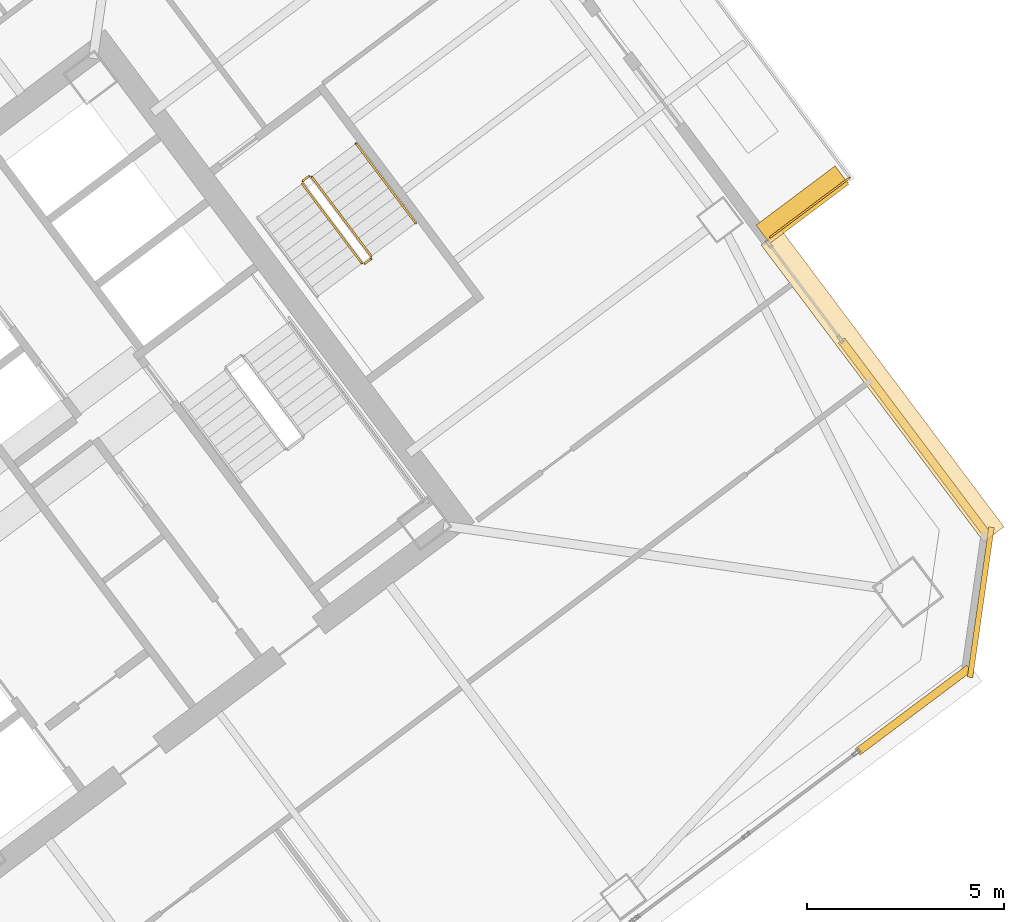
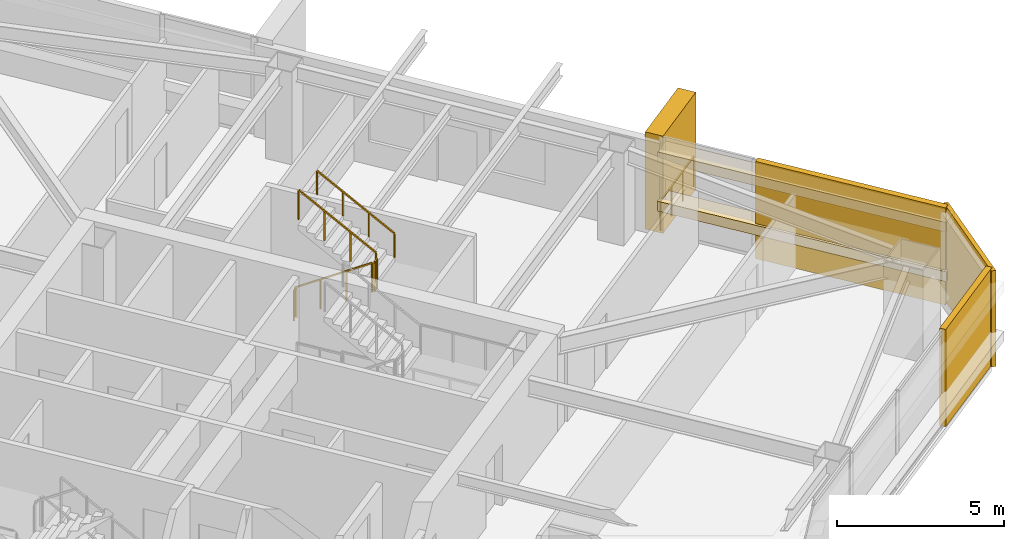
# One storey, part 43 of 44: 6 coverings, 6 railings.
"""IFC4 building model written with IfcOpenShell, lengths in metres."""

from ifc_helpers import new_model, si_unit, direction, frame, origin, origin_2d, place, context, subcontext, project, spatial, rectangle, extrude, material, layer, layer_set, type_object, element, save


model = new_model("IFC4")

# Units and contexts
model_context = context("Model", 3, precision=1e-05, world=origin(), true_north=direction((0.0, 1.0)))
body_context = subcontext(model_context, "Body", "Model", "MODEL_VIEW")
ifc_project = project(units=[si_unit("LENGTHUNIT", "METRE"), si_unit("AREAUNIT", "SQUARE_METRE"), si_unit("VOLUMEUNIT", "CUBIC_METRE"), si_unit("PLANEANGLEUNIT", "RADIAN"), si_unit("MASSUNIT", "GRAM", prefix="KILO")], contexts=[model_context])

# Site, building, storey
site_placement = place(None, origin())
site = spatial("IfcSite", under=ifc_project, at=site_placement, CompositionType="ELEMENT")
building_placement = place(site_placement, origin())
building = spatial("IfcBuilding", under=site, at=building_placement, Name="Tashvorn Skyway Center", CompositionType="ELEMENT")
storey_placement = place(building_placement, frame((0.0, 0.0, 149.89990234375)))
storey = spatial("IfcBuildingStorey", under=building, at=storey_placement, Name="L40", CompositionType="ELEMENT", Elevation=149.89990234375)

# Coverings
ifc_material_1 = material(Name="Precast concrete C40/50", Category="concrete")
ifc_layer_1 = layer(ifc_material_1, 0.199951171875)
ifc_layer_set_1 = layer_set([ifc_layer_1], Name="Precast concrete C40/50")
covering_type_1 = type_object("IfcCoveringType", Name="COV-BRACE-CLAD", PredefinedType="CLADDING", material=ifc_layer_set_1)
covering_1_placement = place(storey_placement, frame((136.260498046875, 25.845458984375, 0.0), z_axis=(0.0, 0.0, 1.0), x_axis=(-0.799999996291, -0.600000004945, 0.0)))
element("IfcCovering", 1, at=covering_1_placement, inside=storey, type_object=covering_type_1, Name="Tower 2 L40 South Unitised Curtain Wall Mega-Brace Cladding Band 1", PredefinedType="CLADDING", context=body_context, shape_type="SweptSolid", body=[
    extrude(rectangle(XDim=3.52880859375, YDim=0.199951171875, at=origin_2d()), origin(), (0.0, 0.0, 1.0), 3.550048828125),
])
covering_2_placement = place(storey_placement, frame((136.2958984375, 32.73876953125, 0.0), z_axis=(0.0, 0.0, 1.0), x_axis=(0.600000004945, -0.799999996291, 0.0)))
element("IfcCovering", 2, at=covering_2_placement, inside=storey, type_object=covering_type_1, Name="Tower 2 L40 East Curtain Wall R Mega-Brace Cladding Band 1", PredefinedType="CLADDING", context=body_context, shape_type="SweptSolid", body=[
    extrude(rectangle(XDim=6.1865234375, YDim=0.199951171875, at=origin_2d()), origin(), (0.0, 0.0, 1.0), 3.550048828125),
])
ifc_material_2 = material(Name="Perforated ceramic-coated bronze aluminium solar screen", Category="aluminium")
ifc_layer_2 = layer(ifc_material_2, 0.85009765625)
ifc_layer_set_2 = layer_set([ifc_layer_2], Name="Perforated ceramic-coated bronze aluminium solar screen")
covering_type_2 = type_object("IfcCoveringType", Name="COV-SOLAR-BAND", PredefinedType="CLADDING", material=ifc_layer_set_2)
for number, where, z_axis, x_axis, name in (
    (3, (135.47998046875, 34.06005859375, 0.919921875), (0.0, 0.0, 1.0), (0.600000004945, -0.799999996291, 0.0), "L40 Perforated Ceramic-Metal Solar Screen Louvre Band East 1"),
    (4, (135.47998046875, 34.06005859375, 2.72021484375), (0.0, 0.0, 1.0), (0.600000004945, -0.799999996291, 0.0), "L40 Perforated Ceramic-Metal Solar Screen Louvre Band East 2"),
):
    element("IfcCovering", number, at=place(storey_placement, frame(where, z_axis=z_axis, x_axis=x_axis)), inside=storey, type_object=covering_type_2, Name=name, PredefinedType="CLADDING", context=body_context, shape_type="SweptSolid", body=[
        extrude(rectangle(XDim=9.39990234375, YDim=0.639892578125, at=origin_2d()), origin(), (0.0, 0.0, 1.0), 0.360107421875),
    ])
ifc_layer_3 = layer(ifc_material_1, 0.35009765625)
ifc_layer_set_3 = layer_set([ifc_layer_3], Name="Precast concrete C40/50")
covering_type_3 = type_object("IfcCoveringType", Name="COV-STONE-TRIM", PredefinedType="CLADDING", material=ifc_layer_set_3)
covering_3_placement = place(storey_placement, frame((133.449951171875, 38.64990234375, 0.0), z_axis=(0.0, 0.0, 1.0), x_axis=(0.600000004945, -0.799999996291, 0.0)))
element("IfcCovering", 5, at=covering_3_placement, inside=storey, type_object=covering_type_3, Name="Tower 2 L40 Sky Garden Loggia Pier R", PredefinedType="CLADDING", context=body_context, shape_type="SweptSolid", body=[
    extrude(rectangle(XDim=0.580078125, YDim=2.5, at=origin_2d()), origin(), (0.0, 0.0, 1.0), 3.550048828125),
])
covering_4_placement = place(storey_placement, frame((137.968017578125, 28.575927734375, 0.02001953125), z_axis=(0.0, 0.0, 1.0), x_axis=(0.141421350118, 0.989949494535, 0.0)))
element("IfcCovering", 6, at=covering_4_placement, inside=storey, type_object=covering_type_3, Name="Tower 2 L40 SE Mojave Limestone Corner Quoin", PredefinedType="CLADDING", context=body_context, shape_type="SweptSolid", body=[
    extrude(rectangle(XDim=3.8369140625, YDim=0.139892578125, at=origin_2d()), origin(), (0.0, 0.0, 1.0), 3.510009765625),
])

# Railings
ifc_material_3 = material(Name="Galvanized steel S355", Category="steel")
railing_type_1 = type_object("IfcRailingType", Name="RAIL-GUARD-1120", PredefinedType="GUARDRAIL", material=ifc_material_3)
railing_1_placement = place(storey_placement, frame((132.632080078125, 37.823974609375, 0.0)))
element("IfcRailing", 7, at=railing_1_placement, inside=storey, type_object=railing_type_1, Name="L40 Tower 2 Terrace Guardrail 01", PredefinedType="GUARDRAIL", context=body_context, shape_type="SweptSolid", body=[
    extrude(rectangle(XDim=0.048095703125, YDim=0.048095703125, at=origin_2d()), frame((0.0, 0.0, 1.09619140625), z_axis=(0.79998837352, 0.60001550166, 0.0), x_axis=(-0.60001550166, 0.79998837352, 0.0)), (0.0, 0.0, 1.0), 2.519775390625),
    extrude(rectangle(XDim=0.0419921875, YDim=0.0419921875, at=origin_2d()), origin(), (0.0, 0.0, 1.0), 1.072021484375),
    extrude(rectangle(XDim=0.0419921875, YDim=0.0419921875, at=origin_2d()), frame((0.671875, 0.50390625, 0.0)), (0.0, 0.0, 1.0), 1.072021484375),
    extrude(rectangle(XDim=0.0419921875, YDim=0.0419921875, at=origin_2d()), frame((1.343994140625, 1.008056640625, 0.0)), (0.0, 0.0, 1.0), 1.072021484375),
    extrude(rectangle(XDim=0.0419921875, YDim=0.0419921875, at=origin_2d()), frame((2.015869140625, 1.511962890625, 0.0)), (0.0, 0.0, 1.0), 1.072021484375),
])
ifc_material_4 = material(Name="Brushed stainless steel 316", Category="steel")
railing_type_2 = type_object("IfcRailingType", Name="RAIL-HAND-920", PredefinedType="HANDRAIL", material=ifc_material_4)
railing_2_placement = place(storey_placement, frame((123.64794921875, 38.18603515625, 1.95263671875)))
element("IfcRailing", 8, at=railing_2_placement, inside=storey, type_object=railing_type_2, Name="L40 ST-T2-3 stair handrail 2", PredefinedType="HANDRAIL", context=body_context, shape_type="SweptSolid", body=[
    extrude(rectangle(XDim=0.048095703125, YDim=0.048095703125, at=origin_2d()), frame((0.0, 0.0, 0.8759765625), z_axis=(-0.506768818287, 0.675664481285, 0.535409071218), x_axis=(-0.79998837352, -0.60001550166, 0.0)), (0.0, 0.0, 1.0), 2.983642578125),
    extrude(rectangle(XDim=0.0419921875, YDim=0.0419921875, at=origin_2d()), origin(), (0.0, 0.0, 1.0), 0.851806640625),
    extrude(rectangle(XDim=0.0419921875, YDim=0.0419921875, at=origin_2d()), frame((-0.50390625, 0.671875, 0.532470703125)), (0.0, 0.0, 1.0), 0.851806640625),
    extrude(rectangle(XDim=0.0419921875, YDim=0.0419921875, at=origin_2d()), frame((-1.008056640625, 1.343994140625, 1.06494140625)), (0.0, 0.0, 1.0), 0.851806640625),
    extrude(rectangle(XDim=0.0419921875, YDim=0.0419921875, at=origin_2d()), frame((-1.511962890625, 2.015869140625, 1.597412109375)), (0.0, 0.0, 1.0), 0.851806640625),
])
ifc_material_5 = material(Name="Painted galvanized steel S355", Category="steel")
railing_type_3 = type_object("IfcRailingType", Name="RAIL-STGUARD-1100", PredefinedType="GUARDRAIL", material=ifc_material_5)
railing_3_placement = place(storey_placement, frame((120.77587890625, 39.181884765625, 0.177490234375)))
element("IfcRailing", 9, at=railing_3_placement, inside=storey, type_object=railing_type_3, Name="L40 ST-T2-3 stair guard 1", PredefinedType="GUARDRAIL", context=body_context, shape_type="SweptSolid", body=[
    extrude(rectangle(XDim=0.048095703125, YDim=0.048095703125, at=origin_2d()), frame((0.0, 0.0, 1.076171875), z_axis=(0.506807425148, -0.675606863004, 0.535445235739), x_axis=(0.799941867976, 0.600077501544, 0.0)), (0.0, 0.0, 1.0), 2.98388671875),
    extrude(rectangle(XDim=0.0419921875, YDim=0.0419921875, at=origin_2d()), origin(), (0.0, 0.0, 1.0), 1.052001953125),
    extrude(rectangle(XDim=0.0419921875, YDim=0.0419921875, at=origin_2d()), frame((0.504150390625, -0.671875, 0.532470703125)), (0.0, 0.0, 1.0), 1.052001953125),
    extrude(rectangle(XDim=0.0419921875, YDim=0.0419921875, at=origin_2d()), frame((1.008056640625, -1.343994140625, 1.065185546875)), (0.0, 0.0, 1.0), 1.052001953125),
    extrude(rectangle(XDim=0.0419921875, YDim=0.0419921875, at=origin_2d()), frame((1.51220703125, -2.015869140625, 1.59765625)), (0.0, 0.0, 1.0), 1.052001953125),
])
railing_4_placement = place(storey_placement, frame((122.35791015625, 37.156005859375, 1.775146484375)))
element("IfcRailing", 10, at=railing_4_placement, inside=storey, type_object=railing_type_3, Name="L40 ST-T2-3 stair guard 2", PredefinedType="GUARDRAIL", context=body_context, shape_type="SweptSolid", body=[
    extrude(rectangle(XDim=0.048095703125, YDim=0.048095703125, at=origin_2d()), frame((0.0, 0.0, 1.076171875), z_axis=(0.800585412921, 0.599218655098, 0.0), x_axis=(-0.599218655098, 0.800585412921, 0.0)), (0.0, 0.0, 1.0), 0.199951171875),
    extrude(rectangle(XDim=0.0419921875, YDim=0.0419921875, at=origin_2d()), origin(), (0.0, 0.0, 1.0), 1.052001953125),
    extrude(rectangle(XDim=0.0419921875, YDim=0.0419921875, at=origin_2d()), frame((0.16015625, 0.119873046875, 0.0)), (0.0, 0.0, 1.0), 1.052001953125),
])
railing_5_placement = place(storey_placement, frame((122.528076171875, 37.345947265625, 1.95263671875)))
element("IfcRailing", 11, at=railing_5_placement, inside=storey, type_object=railing_type_3, Name="L40 ST-T2-3 stair guard 3", PredefinedType="GUARDRAIL", context=body_context, shape_type="SweptSolid", body=[
    extrude(rectangle(XDim=0.048095703125, YDim=0.048095703125, at=origin_2d()), frame((0.0, 0.0, 1.076171875), z_axis=(-0.506740800098, 0.675708949977, 0.535379469569), x_axis=(-0.800023250257, -0.599968998406, 0.0)), (0.0, 0.0, 1.0), 2.983642578125),
    extrude(rectangle(XDim=0.0419921875, YDim=0.0419921875, at=origin_2d()), origin(), (0.0, 0.0, 1.0), 1.052001953125),
    extrude(rectangle(XDim=0.0419921875, YDim=0.0419921875, at=origin_2d()), frame((-0.50390625, 0.672119140625, 0.532470703125)), (0.0, 0.0, 1.0), 1.052001953125),
    extrude(rectangle(XDim=0.0419921875, YDim=0.0419921875, at=origin_2d()), frame((-1.008056640625, 1.343994140625, 1.06494140625)), (0.0, 0.0, 1.0), 1.052001953125),
    extrude(rectangle(XDim=0.0419921875, YDim=0.0419921875, at=origin_2d()), frame((-1.511962890625, 2.01611328125, 1.597412109375)), (0.0, 0.0, 1.0), 1.052001953125),
])
railing_6_placement = place(storey_placement, frame((120.785888671875, 39.251953125, 0.0)))
element("IfcRailing", 12, at=railing_6_placement, inside=storey, type_object=railing_type_3, Name="L40 ST-T2-3 stair guard 4", PredefinedType="GUARDRAIL", context=body_context, shape_type="SweptSolid", body=[
    extrude(rectangle(XDim=0.048095703125, YDim=0.048095703125, at=origin_2d()), frame((0.0, 0.0, 1.076171875), z_axis=(0.8, 0.6, 0.0), x_axis=(-0.6, 0.8, 0.0)), (0.0, 0.0, 1.0), 0.2001953125),
    extrude(rectangle(XDim=0.0419921875, YDim=0.0419921875, at=origin_2d()), origin(), (0.0, 0.0, 1.0), 1.052001953125),
    extrude(rectangle(XDim=0.0419921875, YDim=0.0419921875, at=origin_2d()), frame((0.16015625, 0.1201171875, 0.0)), (0.0, 0.0, 1.0), 1.052001953125),
])

save(model, "model.ifc")
